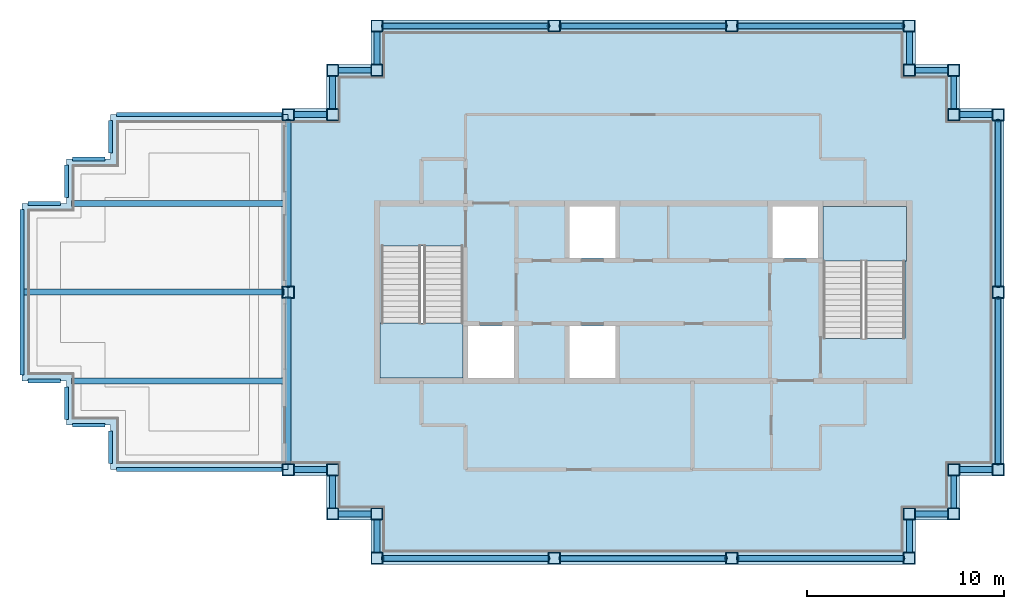
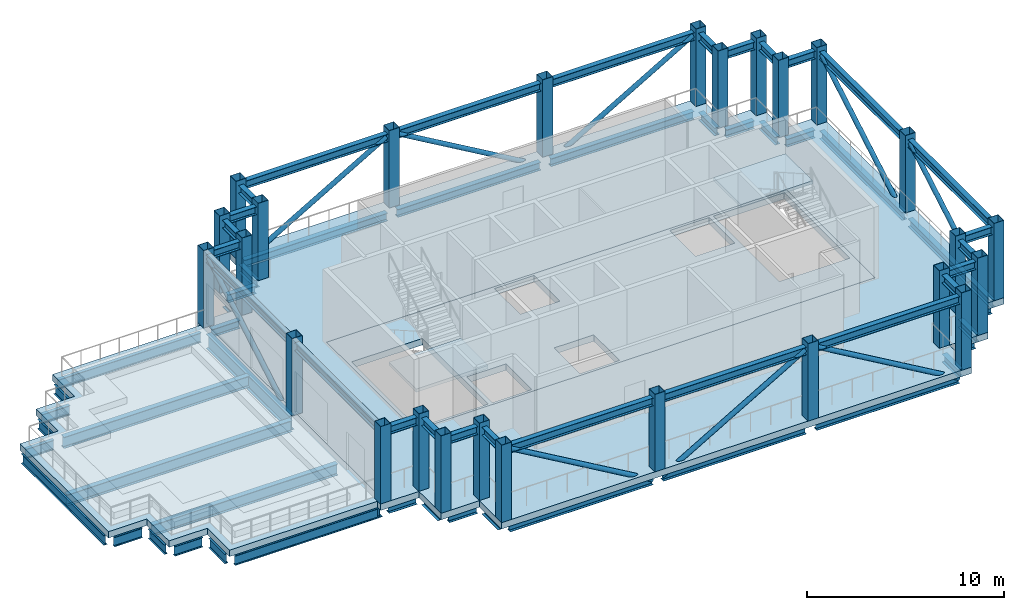
# One storey, part 1 of 9: 66 beams, 26 columns, 9 members, 5 slabs, 2 elements without a shape of their own.
"""IFC4 building model written with IfcOpenShell, lengths in metres."""

from ifc_helpers import new_model, si_unit, direction, frame, origin, origin_2d, place, context, subcontext, project, spatial, polyline, hollow_rectangle, hollow_circle, i_section, outline, extrude, material, layer, layer_set, material_profile, profile_set, type_object, element, aggregate, save


model = new_model("IFC4")

# Units and contexts
model_context = context("Model", 3, precision=1e-05, world=origin(), true_north=direction((0.0, 1.0)))
body_context = subcontext(model_context, "Body", "Model", "MODEL_VIEW")
ifc_project = project(units=[si_unit("LENGTHUNIT", "METRE"), si_unit("AREAUNIT", "SQUARE_METRE"), si_unit("VOLUMEUNIT", "CUBIC_METRE"), si_unit("PLANEANGLEUNIT", "RADIAN"), si_unit("MASSUNIT", "GRAM", prefix="KILO")], contexts=[model_context])

# Site, building, storey
site_placement = place(None, origin())
site = spatial("IfcSite", under=ifc_project, at=site_placement, CompositionType="ELEMENT")
building_placement = place(site_placement, origin())
building = spatial("IfcBuilding", under=site, at=building_placement, Name="Caravel Reach Hotel and Residences", CompositionType="ELEMENT")
storey_placement = place(building_placement, frame((0.0, 0.0, 278.60009765625)))
storey = spatial("IfcBuildingStorey", under=building, at=storey_placement, Name="L71", CompositionType="ELEMENT", Elevation=278.60009765625)

# Columns
ifc_material_1 = material(Name="Concrete-filled steel tube Q390B with Concrete C60 infill", Category="concrete")
ifc_material_profile_1 = material_profile(ifc_material_1, hollow_rectangle(XDim=0.60009765625, YDim=0.60009765625, WallThickness=0.02001953125, at=origin_2d()), Name="RHS 600x600x20")
ifc_profile_set_1 = profile_set([ifc_material_profile_1], Name="Concrete-filled steel tube Q390B with Concrete C60 infill")
column_type = type_object("IfcColumnType", Name="CFT 600x600 Q390B C60", PredefinedType="COLUMN", material=ifc_profile_set_1)
for number, where, z_axis, x_axis, name in (
    (1, (45.0, 13.5, 0.0), (0.0, 0.0, 1.0), (1.0, 0.0, 0.0), "C8 column"),
    (2, (45.0, 15.75, 0.0), (0.0, 0.0, 1.0), (1.0, 0.0, 0.0), "C8 column"),
    (3, (47.25, 15.75, 0.0), (0.0, 0.0, 1.0), (1.0, 0.0, 0.0), "C8 column"),
    (4, (47.25, 18.0, 0.0), (0.0, 0.0, 1.0), (1.0, 0.0, 0.0), "C8 column"),
    (5, (49.5, 18.0, 0.0), (0.0, 0.0, 1.0), (1.0, 0.0, 0.0), "C8 column"),
    (6, (49.5, 27.0, 0.0), (0.0, 0.0, 1.0), (1.0, 0.0, 0.0), "C8 column"),
    (7, (49.5, 36.0, 0.0), (0.0, 0.0, 1.0), (1.0, 0.0, 0.0), "C8 column"),
    (8, (47.25, 36.0, 0.0), (0.0, 0.0, 1.0), (1.0, 0.0, 0.0), "C8 column"),
    (9, (47.25, 38.25, 0.0), (0.0, 0.0, 1.0), (1.0, 0.0, 0.0), "C8 column"),
    (10, (45.0, 38.25, 0.0), (0.0, 0.0, 1.0), (1.0, 0.0, 0.0), "C8 column"),
    (11, (45.0, 40.5, 0.0), (0.0, 0.0, 1.0), (1.0, 0.0, 0.0), "C8 column"),
    (12, (36.0, 40.5, 0.0), (0.0, 0.0, 1.0), (1.0, 0.0, 0.0), "C8 column"),
    (13, (27.0, 40.5, 0.0), (0.0, 0.0, 1.0), (1.0, 0.0, 0.0), "C8 column"),
    (14, (18.0, 40.5, 0.0), (0.0, 0.0, 1.0), (1.0, 0.0, 0.0), "C8 column"),
    (15, (18.0, 38.25, 0.0), (0.0, 0.0, 1.0), (1.0, 0.0, 0.0), "C8 column"),
    (16, (15.75, 38.25, 0.0), (0.0, 0.0, 1.0), (1.0, 0.0, 0.0), "C8 column"),
    (17, (15.75, 36.0, 0.0), (0.0, 0.0, 1.0), (1.0, 0.0, 0.0), "C8 column"),
    (18, (13.5, 36.0, 0.0), (0.0, 0.0, 1.0), (1.0, 0.0, 0.0), "C8 column"),
    (19, (13.5, 27.0, 0.0), (0.0, 0.0, 1.0), (1.0, 0.0, 0.0), "C8 column"),
    (20, (13.5, 18.0, 0.0), (0.0, 0.0, 1.0), (1.0, 0.0, 0.0), "C8 column"),
    (21, (15.75, 18.0, 0.0), (0.0, 0.0, 1.0), (1.0, 0.0, 0.0), "C8 column"),
    (22, (15.75, 15.75, 0.0), (0.0, 0.0, 1.0), (1.0, 0.0, 0.0), "C8 column"),
    (23, (18.0, 15.75, 0.0), (0.0, 0.0, 1.0), (1.0, 0.0, 0.0), "C8 column"),
    (24, (18.0, 13.5, 0.0), (0.0, 0.0, 1.0), (1.0, 0.0, 0.0), "C8 column"),
    (25, (27.0, 13.5, 0.0), (0.0, 0.0, 1.0), (1.0, 0.0, 0.0), "C8 column"),
    (26, (36.0, 13.5, 0.0), (0.0, 0.0, 1.0), (1.0, 0.0, 0.0), "C8 column"),
):
    element("IfcColumn", number, at=place(storey_placement, frame(where, z_axis=z_axis, x_axis=x_axis)), inside=storey, type_object=column_type, Name=name, PredefinedType="COLUMN", context=body_context, shape_type="SweptSolid", body=[
        extrude(hollow_rectangle(XDim=0.60009765625, YDim=0.60009765625, WallThickness=0.02001953125, at=origin_2d()), origin(), (0.0, 0.0, 1.0), 4.7998046875),
    ])

# Beams
ifc_material_2 = material(Name="Structural steel Q355B", Category="steel")
ifc_material_profile_2 = material_profile(ifc_material_2, i_section(OverallWidth=0.300048828125, OverallDepth=0.488037109375, WebThickness=0.010986328125, FlangeThickness=0.01806640625, FilletRadius=0.012939453125, at=origin_2d()), Name="HM 488x300x11x18")
ifc_profile_set_2 = profile_set([ifc_material_profile_2], Name="Structural steel Q355B")
beam_type_1 = type_object("IfcBeamType", Name="Beam HM 488x300x11x18", PredefinedType="BEAM", material=ifc_profile_set_2)
for number, where, z_axis, x_axis, name in (
    (27, (45.0, 13.800048828125, -0.64404296875), (0.0, 1.0, 0.0), (-1.0, 0.0, 0.0), "Belt truss BT-L71 bottom chord"),
    (28, (45.0, 13.800048828125, 4.255859375), (0.0, 1.0, 0.0), (-1.0, 0.0, 0.0), "Belt truss BT-L71 top chord"),
    (29, (45.300048828125, 15.75, -0.64404296875), (1.0, 0.0, 0.0), (0.0, 1.0, 0.0), "Belt truss BT-L71 bottom chord"),
    (30, (45.300048828125, 15.75, 4.255859375), (1.0, 0.0, 0.0), (0.0, 1.0, 0.0), "Belt truss BT-L71 top chord"),
    (31, (47.25, 16.050048828125, -0.64404296875), (0.0, 1.0, 0.0), (-1.0, 0.0, 0.0), "Belt truss BT-L71 bottom chord"),
    (32, (47.25, 16.050048828125, 4.255859375), (0.0, 1.0, 0.0), (-1.0, 0.0, 0.0), "Belt truss BT-L71 top chord"),
    (33, (47.550048828125, 18.0, -0.64404296875), (1.0, 0.0, 0.0), (0.0, 1.0, 0.0), "Belt truss BT-L71 bottom chord"),
    (34, (47.550048828125, 18.0, 4.255859375), (1.0, 0.0, 0.0), (0.0, 1.0, 0.0), "Belt truss BT-L71 top chord"),
):
    element("IfcBeam", number, at=place(storey_placement, frame(where, z_axis=z_axis, x_axis=x_axis)), inside=storey, type_object=beam_type_1, Name=name, PredefinedType="BEAM", context=body_context, shape_type="SweptSolid", body=[
        extrude(i_section(OverallWidth=0.300048828125, OverallDepth=0.488037109375, WebThickness=0.010986328125, FlangeThickness=0.01806640625, FilletRadius=0.012939453125, at=origin_2d()), origin(), (0.0, 0.0, 1.0), 1.64990234375),
    ])
for number, where, z_axis, x_axis, name in (
    (35, (49.5, 18.300048828125, -0.64404296875), (0.0, 1.0, 0.0), (-1.0, 0.0, 0.0), "Belt truss BT-L71 bottom chord"),
    (36, (49.5, 18.300048828125, 4.255859375), (0.0, 1.0, 0.0), (-1.0, 0.0, 0.0), "Belt truss BT-L71 top chord"),
    (37, (49.5, 27.300048828125, -0.64404296875), (0.0, 1.0, 0.0), (-1.0, 0.0, 0.0), "Belt truss BT-L71 bottom chord"),
    (38, (49.5, 27.300048828125, 4.255859375), (0.0, 1.0, 0.0), (-1.0, 0.0, 0.0), "Belt truss BT-L71 top chord"),
):
    element("IfcBeam", number, at=place(storey_placement, frame(where, z_axis=z_axis, x_axis=x_axis)), inside=storey, type_object=beam_type_1, Name=name, PredefinedType="BEAM", context=body_context, shape_type="SweptSolid", body=[
        extrude(i_section(OverallWidth=0.300048828125, OverallDepth=0.488037109375, WebThickness=0.010986328125, FlangeThickness=0.01806640625, FilletRadius=0.012939453125, at=origin_2d()), origin(), (0.0, 0.0, 1.0), 8.39990234375),
    ])
for number, where, z_axis, x_axis, name in (
    (39, (49.199951171875, 36.0, -0.64404296875), (-1.0, 0.0, 0.0), (0.0, -1.0, 0.0), "Belt truss BT-L71 bottom chord"),
    (40, (49.199951171875, 36.0, 4.255859375), (-1.0, 0.0, 0.0), (0.0, -1.0, 0.0), "Belt truss BT-L71 top chord"),
    (41, (47.25, 36.300048828125, -0.64404296875), (0.0, 1.0, 0.0), (-1.0, 0.0, 0.0), "Belt truss BT-L71 bottom chord"),
    (42, (47.25, 36.300048828125, 4.255859375), (0.0, 1.0, 0.0), (-1.0, 0.0, 0.0), "Belt truss BT-L71 top chord"),
    (43, (46.949951171875, 38.25, -0.64404296875), (-1.0, 0.0, 0.0), (0.0, -1.0, 0.0), "Belt truss BT-L71 bottom chord"),
    (44, (46.949951171875, 38.25, 4.255859375), (-1.0, 0.0, 0.0), (0.0, -1.0, 0.0), "Belt truss BT-L71 top chord"),
    (45, (45.0, 38.550048828125, -0.64404296875), (0.0, 1.0, 0.0), (-1.0, 0.0, 0.0), "Belt truss BT-L71 bottom chord"),
    (46, (45.0, 38.550048828125, 4.255859375), (0.0, 1.0, 0.0), (-1.0, 0.0, 0.0), "Belt truss BT-L71 top chord"),
):
    element("IfcBeam", number, at=place(storey_placement, frame(where, z_axis=z_axis, x_axis=x_axis)), inside=storey, type_object=beam_type_1, Name=name, PredefinedType="BEAM", context=body_context, shape_type="SweptSolid", body=[
        extrude(i_section(OverallWidth=0.300048828125, OverallDepth=0.488037109375, WebThickness=0.010986328125, FlangeThickness=0.01806640625, FilletRadius=0.012939453125, at=origin_2d()), origin(), (0.0, 0.0, 1.0), 1.64990234375),
    ])
for number, where, z_axis, x_axis, name in (
    (47, (44.699951171875, 40.5, -0.64404296875), (-1.0, 0.0, 0.0), (0.0, -1.0, 0.0), "Belt truss BT-L71 bottom chord"),
    (48, (44.699951171875, 40.5, 4.255859375), (-1.0, 0.0, 0.0), (0.0, -1.0, 0.0), "Belt truss BT-L71 top chord"),
    (49, (35.699951171875, 40.5, -0.64404296875), (-1.0, 0.0, 0.0), (0.0, -1.0, 0.0), "Belt truss BT-L71 bottom chord"),
    (50, (35.699951171875, 40.5, 4.255859375), (-1.0, 0.0, 0.0), (0.0, -1.0, 0.0), "Belt truss BT-L71 top chord"),
    (51, (26.699951171875, 40.5, -0.64404296875), (-1.0, 0.0, 0.0), (0.0, -1.0, 0.0), "Belt truss BT-L71 bottom chord"),
    (52, (26.699951171875, 40.5, 4.255859375), (-1.0, 0.0, 0.0), (0.0, -1.0, 0.0), "Belt truss BT-L71 top chord"),
):
    element("IfcBeam", number, at=place(storey_placement, frame(where, z_axis=z_axis, x_axis=x_axis)), inside=storey, type_object=beam_type_1, Name=name, PredefinedType="BEAM", context=body_context, shape_type="SweptSolid", body=[
        extrude(i_section(OverallWidth=0.300048828125, OverallDepth=0.488037109375, WebThickness=0.010986328125, FlangeThickness=0.01806640625, FilletRadius=0.012939453125, at=origin_2d()), origin(), (0.0, 0.0, 1.0), 8.39990234375),
    ])
for number, where, z_axis, x_axis, name in (
    (53, (18.0, 40.199951171875, -0.64404296875), (0.0, -1.0, 0.0), (1.0, 0.0, 0.0), "Belt truss BT-L71 bottom chord"),
    (54, (18.0, 40.199951171875, 4.255859375), (0.0, -1.0, 0.0), (1.0, 0.0, 0.0), "Belt truss BT-L71 top chord"),
    (55, (17.699951171875, 38.25, -0.64404296875), (-1.0, 0.0, 0.0), (0.0, -1.0, 0.0), "Belt truss BT-L71 bottom chord"),
    (56, (17.699951171875, 38.25, 4.255859375), (-1.0, 0.0, 0.0), (0.0, -1.0, 0.0), "Belt truss BT-L71 top chord"),
    (57, (15.75, 37.949951171875, -0.64404296875), (0.0, -1.0, 0.0), (1.0, 0.0, 0.0), "Belt truss BT-L71 bottom chord"),
    (58, (15.75, 37.949951171875, 4.255859375), (0.0, -1.0, 0.0), (1.0, 0.0, 0.0), "Belt truss BT-L71 top chord"),
    (59, (15.449951171875, 36.0, -0.64404296875), (-1.0, 0.0, 0.0), (0.0, -1.0, 0.0), "Belt truss BT-L71 bottom chord"),
    (60, (15.449951171875, 36.0, 4.255859375), (-1.0, 0.0, 0.0), (0.0, -1.0, 0.0), "Belt truss BT-L71 top chord"),
):
    element("IfcBeam", number, at=place(storey_placement, frame(where, z_axis=z_axis, x_axis=x_axis)), inside=storey, type_object=beam_type_1, Name=name, PredefinedType="BEAM", context=body_context, shape_type="SweptSolid", body=[
        extrude(i_section(OverallWidth=0.300048828125, OverallDepth=0.488037109375, WebThickness=0.010986328125, FlangeThickness=0.01806640625, FilletRadius=0.012939453125, at=origin_2d()), origin(), (0.0, 0.0, 1.0), 1.64990234375),
    ])
for number, where, z_axis, x_axis, name in (
    (61, (13.5, 35.699951171875, 4.255859375), (0.0, -1.0, 0.0), (1.0, 0.0, 0.0), "Belt truss BT-L71 top chord"),
    (62, (13.5, 26.699951171875, 4.255859375), (0.0, -1.0, 0.0), (1.0, 0.0, 0.0), "Belt truss BT-L71 top chord"),
):
    element("IfcBeam", number, at=place(storey_placement, frame(where, z_axis=z_axis, x_axis=x_axis)), inside=storey, type_object=beam_type_1, Name=name, PredefinedType="BEAM", context=body_context, shape_type="SweptSolid", body=[
        extrude(i_section(OverallWidth=0.300048828125, OverallDepth=0.488037109375, WebThickness=0.010986328125, FlangeThickness=0.01806640625, FilletRadius=0.012939453125, at=origin_2d()), origin(), (0.0, 0.0, 1.0), 8.39990234375),
    ])
for number, where, z_axis, x_axis, name in (
    (63, (13.800048828125, 18.0, -0.64404296875), (1.0, 0.0, 0.0), (0.0, 1.0, 0.0), "Belt truss BT-L71 bottom chord"),
    (64, (13.800048828125, 18.0, 4.255859375), (1.0, 0.0, 0.0), (0.0, 1.0, 0.0), "Belt truss BT-L71 top chord"),
    (65, (15.75, 17.699951171875, -0.64404296875), (0.0, -1.0, 0.0), (1.0, 0.0, 0.0), "Belt truss BT-L71 bottom chord"),
    (66, (15.75, 17.699951171875, 4.255859375), (0.0, -1.0, 0.0), (1.0, 0.0, 0.0), "Belt truss BT-L71 top chord"),
    (67, (16.050048828125, 15.75, -0.64404296875), (1.0, 0.0, 0.0), (0.0, 1.0, 0.0), "Belt truss BT-L71 bottom chord"),
    (68, (16.050048828125, 15.75, 4.255859375), (1.0, 0.0, 0.0), (0.0, 1.0, 0.0), "Belt truss BT-L71 top chord"),
    (69, (18.0, 15.449951171875, -0.64404296875), (0.0, -1.0, 0.0), (1.0, 0.0, 0.0), "Belt truss BT-L71 bottom chord"),
    (70, (18.0, 15.449951171875, 4.255859375), (0.0, -1.0, 0.0), (1.0, 0.0, 0.0), "Belt truss BT-L71 top chord"),
):
    element("IfcBeam", number, at=place(storey_placement, frame(where, z_axis=z_axis, x_axis=x_axis)), inside=storey, type_object=beam_type_1, Name=name, PredefinedType="BEAM", context=body_context, shape_type="SweptSolid", body=[
        extrude(i_section(OverallWidth=0.300048828125, OverallDepth=0.488037109375, WebThickness=0.010986328125, FlangeThickness=0.01806640625, FilletRadius=0.012939453125, at=origin_2d()), origin(), (0.0, 0.0, 1.0), 1.64990234375),
    ])
for number, where, z_axis, x_axis, name in (
    (71, (18.300048828125, 13.5, -0.64404296875), (1.0, 0.0, 0.0), (0.0, 1.0, 0.0), "Belt truss BT-L71 bottom chord"),
    (72, (18.300048828125, 13.5, 4.255859375), (1.0, 0.0, 0.0), (0.0, 1.0, 0.0), "Belt truss BT-L71 top chord"),
    (73, (27.300048828125, 13.5, -0.64404296875), (1.0, 0.0, 0.0), (0.0, 1.0, 0.0), "Belt truss BT-L71 bottom chord"),
    (74, (27.300048828125, 13.5, 4.255859375), (1.0, 0.0, 0.0), (0.0, 1.0, 0.0), "Belt truss BT-L71 top chord"),
    (75, (36.300048828125, 13.5, -0.64404296875), (1.0, 0.0, 0.0), (0.0, 1.0, 0.0), "Belt truss BT-L71 bottom chord"),
    (76, (36.300048828125, 13.5, 4.255859375), (1.0, 0.0, 0.0), (0.0, 1.0, 0.0), "Belt truss BT-L71 top chord"),
):
    element("IfcBeam", number, at=place(storey_placement, frame(where, z_axis=z_axis, x_axis=x_axis)), inside=storey, type_object=beam_type_1, Name=name, PredefinedType="BEAM", context=body_context, shape_type="SweptSolid", body=[
        extrude(i_section(OverallWidth=0.300048828125, OverallDepth=0.488037109375, WebThickness=0.010986328125, FlangeThickness=0.01806640625, FilletRadius=0.012939453125, at=origin_2d()), origin(), (0.0, 0.0, 1.0), 8.39990234375),
    ])
ifc_material_3 = material(Name="Structural steel Q355B", Category="steel")
ifc_material_profile_3 = material_profile(ifc_material_3, i_section(OverallWidth=0.300048828125, OverallDepth=0.699951171875, WebThickness=0.012939453125, FlangeThickness=0.02392578125, FilletRadius=0.01806640625, at=origin_2d()), Name="HN 700x300x13x24")
ifc_profile_set_3 = profile_set([ifc_material_profile_3], Name="Structural steel Q355B")
beam_type_2 = type_object("IfcBeamType", Name="Beam HN 700x300x13x24", PredefinedType="BEAM", material=ifc_profile_set_3)
beam_1_placement = place(storey_placement, frame((13.39990234375, 22.5, -0.75), z_axis=(-1.0, 0.0, 0.0), x_axis=(0.0, -1.0, 0.0)))
element("IfcBeam", 77, at=beam_1_placement, inside=storey, type_object=beam_type_2, Name="B2 HN 700x300x13x24", PredefinedType="BEAM", context=body_context, shape_type="SweptSolid", body=[
    extrude(i_section(OverallWidth=0.300048828125, OverallDepth=0.699951171875, WebThickness=0.012939453125, FlangeThickness=0.02392578125, FilletRadius=0.01806640625, at=origin_2d()), origin(), (0.0, 0.0, 1.0), 10.89990234375),
])
beam_2_placement = place(storey_placement, frame((13.300048828125, 27.0, -0.75), z_axis=(-1.0, 0.0, 0.0), x_axis=(0.0, -1.0, 0.0)))
element("IfcBeam", 78, at=beam_2_placement, inside=storey, type_object=beam_type_2, Name="B2 HN 700x300x13x24", PredefinedType="BEAM", context=body_context, shape_type="SweptSolid", body=[
    extrude(i_section(OverallWidth=0.300048828125, OverallDepth=0.699951171875, WebThickness=0.012939453125, FlangeThickness=0.02392578125, FilletRadius=0.01806640625, at=origin_2d()), origin(), (0.0, 0.0, 1.0), 13.199951171875),
])
beam_3_placement = place(storey_placement, frame((13.39990234375, 31.5, -0.75), z_axis=(-1.0, 0.0, 0.0), x_axis=(0.0, -1.0, 0.0)))
element("IfcBeam", 79, at=beam_3_placement, inside=storey, type_object=beam_type_2, Name="B2 HN 700x300x13x24", PredefinedType="BEAM", context=body_context, shape_type="SweptSolid", body=[
    extrude(i_section(OverallWidth=0.300048828125, OverallDepth=0.699951171875, WebThickness=0.012939453125, FlangeThickness=0.02392578125, FilletRadius=0.01806640625, at=origin_2d()), origin(), (0.0, 0.0, 1.0), 10.89990234375),
])
ifc_material_4 = material(Name="Structural steel Q355B", Category="steel")
ifc_material_profile_4 = material_profile(ifc_material_4, i_section(OverallWidth=0.302001953125, OverallDepth=0.912109375, WebThickness=0.01806640625, FlangeThickness=0.033935546875, FilletRadius=0.01806640625, at=origin_2d()), Name="HN 900x300x18x34")
ifc_profile_set_4 = profile_set([ifc_material_profile_4], Name="Structural steel Q355B")
beam_type_3 = type_object("IfcBeamType", Name="Beam HN 900x300x18x34", PredefinedType="BEAM", material=ifc_profile_set_4)
for number, where, z_axis, x_axis, name in (
    (80, (13.5, 35.699951171875, -0.856201171875), (0.0, -1.0, 0.0), (1.0, 0.0, 0.0), "Transfer girder TG-L71-1"),
    (81, (13.5, 26.75, -0.856201171875), (0.0, -1.0, 0.0), (1.0, 0.0, 0.0), "Transfer girder TG-L71-2"),
):
    element("IfcBeam", number, at=place(storey_placement, frame(where, z_axis=z_axis, x_axis=x_axis)), inside=storey, type_object=beam_type_3, Name=name, PredefinedType="BEAM", context=body_context, shape_type="SweptSolid", body=[
        extrude(i_section(OverallWidth=0.302001953125, OverallDepth=0.912109375, WebThickness=0.01806640625, FlangeThickness=0.033935546875, FilletRadius=0.01806640625, at=origin_2d()), origin(), (0.0, 0.0, 1.0), 8.449951171875),
    ])

# Members
ifc_material_5 = material(Name="Structural steel Q390B", Category="steel")
ifc_material_profile_5 = material_profile(ifc_material_5, hollow_circle(Radius=0.136474609375, WallThickness=0.010009765625, at=origin_2d()), Name="CHS 273x10")
ifc_profile_set_5 = profile_set([ifc_material_profile_5], Name="Structural steel Q390B")
member_type = type_object("IfcMemberType", Name="Brace CHS 273x10", PredefinedType="BRACE", material=ifc_profile_set_5)
for number, where, z_axis, x_axis, name in (
    (82, (49.5, 18.300048828125, -0.64404296875), (0.0, 0.863780722019, 0.50386790359), (-1.0, 0.0, 0.0), "Belt truss BT-L71 diagonal"),
    (83, (49.5, 27.300048828125, -0.64404296875), (0.0, 0.863780722019, 0.50386790359), (-1.0, 0.0, 0.0), "Belt truss BT-L71 diagonal"),
    (84, (36.300048828125, 40.5, -0.64404296875), (0.863780722019, 0.0, 0.50386790359), (0.0, 1.0, 0.0), "Belt truss BT-L71 diagonal"),
    (85, (35.699951171875, 40.5, -0.64404296875), (-0.863780722019, 0.0, 0.50386790359), (0.0, -1.0, 0.0), "Belt truss BT-L71 diagonal"),
    (86, (18.300048828125, 40.5, -0.64404296875), (0.863780722019, 0.0, 0.50386790359), (0.0, 1.0, 0.0), "Belt truss BT-L71 diagonal"),
    (87, (13.5, 27.300048828125, -0.64404296875), (0.0, 0.863780722019, 0.50386790359), (-1.0, 0.0, 0.0), "Belt truss BT-L71 diagonal"),
    (88, (26.699951171875, 13.5, -0.64404296875), (-0.863780722019, 0.0, 0.50386790359), (0.0, -1.0, 0.0), "Belt truss BT-L71 diagonal"),
    (89, (27.300048828125, 13.5, -0.64404296875), (0.863780722019, 0.0, 0.50386790359), (0.0, 1.0, 0.0), "Belt truss BT-L71 diagonal"),
    (90, (44.699951171875, 13.5, -0.64404296875), (-0.863780722019, 0.0, 0.50386790359), (0.0, -1.0, 0.0), "Belt truss BT-L71 diagonal"),
):
    element("IfcMember", number, at=place(storey_placement, frame(where, z_axis=z_axis, x_axis=x_axis)), inside=storey, type_object=member_type, Name=name, PredefinedType="BRACE", context=body_context, shape_type="SweptSolid", body=[
        extrude(hollow_circle(Radius=0.136474609375, WallThickness=0.010009765625, at=origin_2d()), origin(), (0.0, 0.0, 1.0), 9.724609375),
    ])

# Beams
ifc_material_6 = material(Name="Structural steel Q355B", Category="steel")
ifc_material_profile_6 = material_profile(ifc_material_6, i_section(OverallWidth=0.199951171875, OverallDepth=0.60009765625, WebThickness=0.010986328125, FlangeThickness=0.01708984375, FilletRadius=0.012939453125, at=origin_2d()), Name="HN 600x200x11x17")
ifc_profile_set_6 = profile_set([ifc_material_profile_6], Name="Structural steel Q355B")
beam_type_4 = type_object("IfcBeamType", Name="Edge beam HN 600x200x11x17", PredefinedType="USERDEFINED", material=ifc_profile_set_6)
for number, where, z_axis, x_axis, name in (
    (91, (4.800048828125, 18.0, -0.7001953125), (1.0, 0.0, 0.0), (0.0, 1.0, 0.0), "EB1 HN 600x200x11x17"),
    (92, (13.199951171875, 36.0, -0.7001953125), (-1.0, 0.0, 0.0), (0.0, -1.0, 0.0), "EB1 HN 600x200x11x17"),
):
    element("IfcBeam", number, at=place(storey_placement, frame(where, z_axis=z_axis, x_axis=x_axis)), inside=storey, type_object=beam_type_4, Name=name, ObjectType="Edge beam", PredefinedType="USERDEFINED", context=body_context, shape_type="SweptSolid", body=[
        extrude(i_section(OverallWidth=0.199951171875, OverallDepth=0.60009765625, WebThickness=0.010986328125, FlangeThickness=0.01708984375, FilletRadius=0.012939453125, at=origin_2d()), origin(), (0.0, 0.0, 1.0), 8.39990234375),
    ])
for number, where, z_axis, x_axis, name in (
    (93, (4.5, 35.699951171875, -0.7001953125), (0.0, -1.0, 0.0), (1.0, 0.0, 0.0), "EB1 HN 600x200x11x17"),
    (94, (4.199951171875, 33.75, -0.7001953125), (-1.0, 0.0, 0.0), (0.0, -1.0, 0.0), "EB1 HN 600x200x11x17"),
    (95, (2.25, 33.449951171875, -0.7001953125), (0.0, -1.0, 0.0), (1.0, 0.0, 0.0), "EB1 HN 600x200x11x17"),
    (96, (1.949951171875, 31.5, -0.7001953125), (-1.0, 0.0, 0.0), (0.0, -1.0, 0.0), "EB1 HN 600x200x11x17"),
):
    element("IfcBeam", number, at=place(storey_placement, frame(where, z_axis=z_axis, x_axis=x_axis)), inside=storey, type_object=beam_type_4, Name=name, ObjectType="Edge beam", PredefinedType="USERDEFINED", context=body_context, shape_type="SweptSolid", body=[
        extrude(i_section(OverallWidth=0.199951171875, OverallDepth=0.60009765625, WebThickness=0.010986328125, FlangeThickness=0.01708984375, FilletRadius=0.012939453125, at=origin_2d()), origin(), (0.0, 0.0, 1.0), 1.64990234375),
    ])
beam_4_placement = place(storey_placement, frame((0.0, 31.199951171875, -0.7001953125), z_axis=(0.0, -1.0, 0.0), x_axis=(1.0, 0.0, 0.0)))
element("IfcBeam", 97, at=beam_4_placement, inside=storey, type_object=beam_type_4, Name="EB1 HN 600x200x11x17", ObjectType="Edge beam", PredefinedType="USERDEFINED", context=body_context, shape_type="SweptSolid", body=[
    extrude(i_section(OverallWidth=0.199951171875, OverallDepth=0.60009765625, WebThickness=0.010986328125, FlangeThickness=0.01708984375, FilletRadius=0.012939453125, at=origin_2d()), origin(), (0.0, 0.0, 1.0), 8.39990234375),
])
for number, where, z_axis, x_axis, name in (
    (98, (0.300048828125, 22.5, -0.7001953125), (1.0, 0.0, 0.0), (0.0, 1.0, 0.0), "EB1 HN 600x200x11x17"),
    (99, (2.25, 22.199951171875, -0.7001953125), (0.0, -1.0, 0.0), (1.0, 0.0, 0.0), "EB1 HN 600x200x11x17"),
    (100, (2.550048828125, 20.25, -0.7001953125), (1.0, 0.0, 0.0), (0.0, 1.0, 0.0), "EB1 HN 600x200x11x17"),
    (101, (4.5, 19.949951171875, -0.7001953125), (0.0, -1.0, 0.0), (1.0, 0.0, 0.0), "EB1 HN 600x200x11x17"),
):
    element("IfcBeam", number, at=place(storey_placement, frame(where, z_axis=z_axis, x_axis=x_axis)), inside=storey, type_object=beam_type_4, Name=name, ObjectType="Edge beam", PredefinedType="USERDEFINED", context=body_context, shape_type="SweptSolid", body=[
        extrude(i_section(OverallWidth=0.199951171875, OverallDepth=0.60009765625, WebThickness=0.010986328125, FlangeThickness=0.01708984375, FilletRadius=0.012939453125, at=origin_2d()), origin(), (0.0, 0.0, 1.0), 1.64990234375),
    ])

# Slab
ifc_material_7 = material(Name="Concrete C40", Category="concrete")
ifc_layer_1 = layer(ifc_material_7, 0.39990234375)
ifc_layer_set_1 = layer_set([ifc_layer_1], Name="Core floor slab 400 mm")
slab_type_1 = type_object("IfcSlabType", Name="Core floor slab 400 mm", PredefinedType="FLOOR", material=ifc_layer_set_1)
slab_1_placement = place(storey_placement, frame((0.0, 0.0, -0.400146484375)))
element("IfcSlab", 102, at=slab_1_placement, inside=storey, type_object=slab_type_1, Name="L71 core floor", PredefinedType="FLOOR", context=body_context, shape_type="SweptSolid", body=[
    extrude(outline(polyline([(18.0, 31.5), (45.0, 31.5), (45.0, 22.5), (18.0, 22.5), (18.0, 31.5)]), holes=[polyline([(22.625, 22.64990234375), (24.9462890625, 22.64990234375), (24.9462890625, 25.27490234375), (22.625, 25.27490234375), (22.625, 22.64990234375)]), polyline([(27.767822265625, 25.27490234375), (27.767822265625, 22.64990234375), (30.08935546875, 22.64990234375), (30.08935546875, 25.27490234375), (27.767822265625, 25.27490234375)]), polyline([(22.375, 22.64990234375), (22.375, 29.35009765625), (18.22509765625, 29.35009765625), (18.22509765625, 22.64990234375), (22.375, 22.64990234375)]), polyline([(40.625, 24.64990234375), (44.77490234375, 24.64990234375), (44.77490234375, 31.35009765625), (40.625, 31.35009765625), (40.625, 24.64990234375)]), polyline([(27.767822265625, 31.35009765625), (27.767822265625, 28.72509765625), (30.08935546875, 28.72509765625), (30.08935546875, 31.35009765625), (27.767822265625, 31.35009765625)]), polyline([(38.0537109375, 31.35009765625), (38.0537109375, 28.72509765625), (40.375, 28.72509765625), (40.375, 31.35009765625), (38.0537109375, 31.35009765625)])]), origin(), (0.0, 0.0, 1.0), 0.400146484375),
])

# Stair, slab
ifc_material_8 = material(Name="Concrete C40", Category="concrete")
stair_type = type_object("IfcStairType", Name="Core stair", PredefinedType="HALF_TURN_STAIR", material=ifc_material_8)
stair_1_placement = place(storey_placement, origin())
stair_1 = element("IfcStair", 103, at=stair_1_placement, inside=storey, type_object=stair_type, Name="L71 Exit stair A", PredefinedType="HALF_TURN_STAIR")
ifc_material_9 = material(Name="Concrete C40", Category="concrete")
ifc_layer_2 = layer(ifc_material_9, 0.199951171875)
ifc_layer_set_2 = layer_set([ifc_layer_2], Name="Core stair landing")
slab_type_2 = type_object("IfcSlabType", Name="Core stair landing", PredefinedType="LANDING", material=ifc_layer_set_2)
slab_2_placement = place(storey_placement, frame((0.0, 0.0, 2.199951171875)))
slab_2 = element("IfcSlab", 104, at=slab_2_placement, type_object=slab_type_2, Name="ST-A landing 1", PredefinedType="LANDING", context=body_context, shape_type="SweptSolid", body=[
    extrude(outline(polyline([(18.14990234375, 25.429931640625), (18.14990234375, 22.64990234375), (22.375, 22.64990234375), (22.375, 25.429931640625), (18.14990234375, 25.429931640625)])), origin(), (0.0, 0.0, 1.0), 0.199951171875),
])
aggregate(stair_1, [slab_2])

stair_2_placement = place(storey_placement, origin())
stair_2 = element("IfcStair", 105, at=stair_2_placement, inside=storey, type_object=stair_type, Name="L71 Exit stair B", PredefinedType="HALF_TURN_STAIR")
slab_3_placement = place(storey_placement, frame((0.0, 0.0, 2.199951171875)))
slab_3 = element("IfcSlab", 106, at=slab_3_placement, type_object=slab_type_2, Name="ST-B landing 1", PredefinedType="LANDING", context=body_context, shape_type="SweptSolid", body=[
    extrude(outline(polyline([(44.85009765625, 28.570068359375), (44.85009765625, 31.35009765625), (40.625, 31.35009765625), (40.625, 28.570068359375), (44.85009765625, 28.570068359375)])), origin(), (0.0, 0.0, 1.0), 0.199951171875),
])
aggregate(stair_2, [slab_3])

# Slabs
ifc_material_10 = material(Name="Concrete C40 post-tensioned", Category="concrete")
ifc_layer_3 = layer(ifc_material_10, 0.39990234375)
ifc_layer_set_3 = layer_set([ifc_layer_3], Name="Floor slab 400")
slab_type_3 = type_object("IfcSlabType", Name="Floor slab 400", PredefinedType="FLOOR", material=ifc_layer_set_3)
slab_4_placement = place(storey_placement, frame((0.0, 0.0, -0.400146484375)))
element("IfcSlab", 107, at=slab_4_placement, inside=storey, type_object=slab_type_3, Name="S4 slab L71", PredefinedType="FLOOR", context=body_context, shape_type="SweptSolid", body=[
    extrude(outline(polyline([(13.199951171875, 36.0), (13.199951171875, 36.300048828125), (15.449951171875, 36.300048828125), (15.449951171875, 38.550048828125), (17.699951171875, 38.550048828125), (17.699951171875, 40.800048828125), (45.300048828125, 40.800048828125), (45.300048828125, 38.550048828125), (47.550048828125, 38.550048828125), (47.550048828125, 36.300048828125), (49.800048828125, 36.300048828125), (49.800048828125, 17.699951171875), (47.550048828125, 17.699951171875), (47.550048828125, 15.449951171875), (45.300048828125, 15.449951171875), (45.300048828125, 13.199951171875), (17.699951171875, 13.199951171875), (17.699951171875, 15.449951171875), (15.449951171875, 15.449951171875), (15.449951171875, 17.699951171875), (13.199951171875, 17.699951171875), (13.199951171875, 18.0), (13.5, 18.0), (13.5, 36.0), (13.199951171875, 36.0)]), holes=[polyline([(45.0, 31.5), (18.0, 31.5), (18.0, 22.5), (45.0, 22.5), (45.0, 31.5)])]), origin(), (0.0, 0.0, 1.0), 0.400146484375),
])
ifc_material_11 = material(Name="Concrete C40", Category="concrete")
ifc_layer_4 = layer(ifc_material_11, 0.39990234375)
ifc_layer_set_4 = layer_set([ifc_layer_4], Name="Roof terrace slab 400")
slab_type_4 = type_object("IfcSlabType", Name="Roof terrace slab 400", PredefinedType="ROOF", material=ifc_layer_set_4)
slab_5_placement = place(storey_placement, frame((0.0, 0.0, -0.400146484375)))
element("IfcSlab", 108, at=slab_5_placement, inside=storey, type_object=slab_type_4, Name="terrace slab W", PredefinedType="ROOF", context=body_context, shape_type="SweptSolid", body=[
    extrude(outline(polyline([(4.5, 18.0), (4.5, 20.25), (2.25, 20.25), (2.25, 22.5), (0.0, 22.5), (0.0, 31.5), (2.25, 31.5), (2.25, 33.75), (4.5, 33.75), (4.5, 36.0), (13.5, 36.0), (13.5, 18.0), (4.5, 18.0)])), origin(), (0.0, 0.0, 1.0), 0.400146484375),
])

save(model, "model.ifc")
